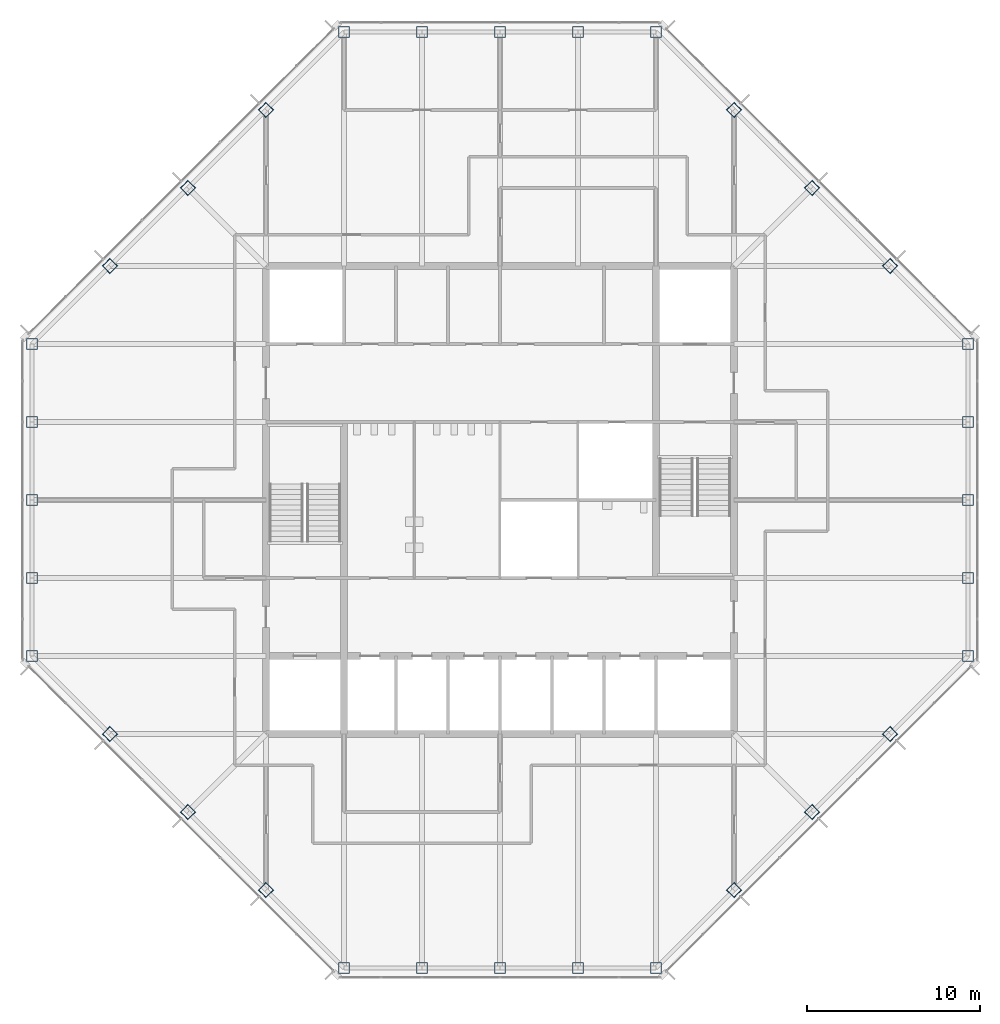
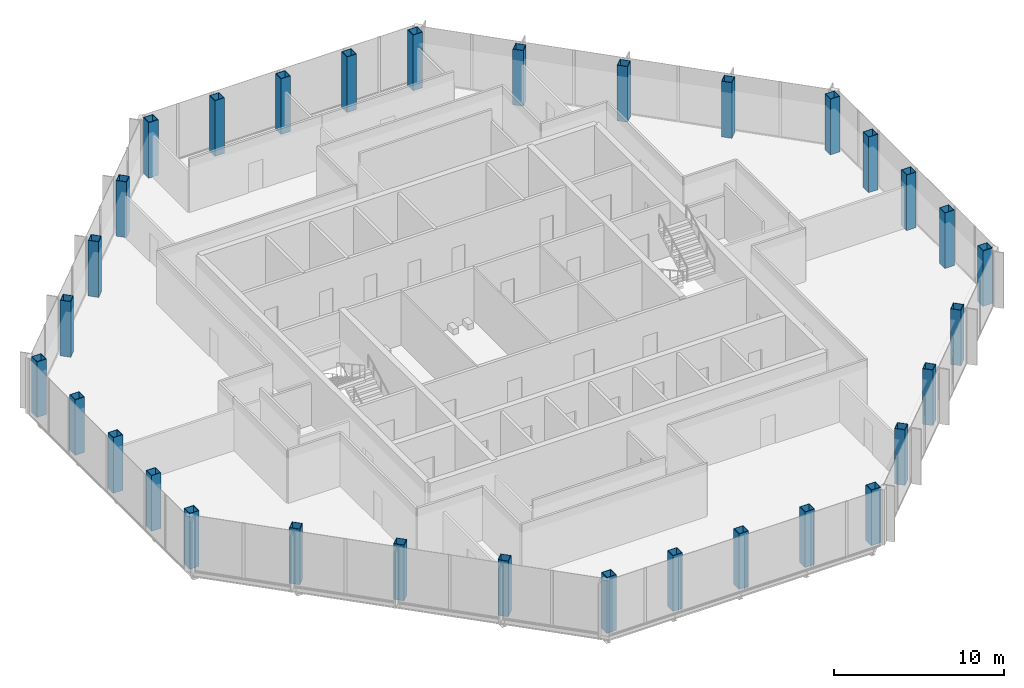
# One storey, part 1 of 13: 32 columns.
"""IFC4 building model written with IfcOpenShell, lengths in metres."""

from ifc_helpers import new_model, si_unit, direction, frame, origin, origin_2d, place, context, subcontext, project, spatial, hollow_rectangle, extrude, material, material_profile, profile_set, type_object, element, save


model = new_model("IFC4")

# Units and contexts
model_context = context("Model", 3, precision=1e-05, world=origin(), true_north=direction((0.0, 1.0)))
body_context = subcontext(model_context, "Body", "Model", "MODEL_VIEW")
ifc_project = project(units=[si_unit("LENGTHUNIT", "METRE"), si_unit("AREAUNIT", "SQUARE_METRE"), si_unit("VOLUMEUNIT", "CUBIC_METRE"), si_unit("PLANEANGLEUNIT", "RADIAN"), si_unit("MASSUNIT", "GRAM", prefix="KILO")], contexts=[model_context])

# Site, building, storey
site_placement = place(None, origin())
site = spatial("IfcSite", under=ifc_project, at=site_placement, CompositionType="ELEMENT")
building_placement = place(site_placement, origin())
building = spatial("IfcBuilding", under=site, at=building_placement, Name="Corais Broadcast Tower", CompositionType="ELEMENT")
storey_placement = place(building_placement, frame((0.0, 0.0, 242.60009765625)))
storey = spatial("IfcBuildingStorey", under=building, at=storey_placement, Name="L56", CompositionType="ELEMENT", Elevation=242.60009765625)

# Columns
ifc_material = material(Name="Steel ASTM A572 Grade 50", Category="steel")
ifc_material_profile = material_profile(ifc_material, hollow_rectangle(XDim=0.64990234375, YDim=0.64990234375, WallThickness=0.031982421875, at=origin_2d()), Name="BOX 650x650x32")
ifc_profile_set = profile_set([ifc_material_profile], Name="Steel ASTM A572 Grade 50")
column_type = type_object("IfcColumnType", Name="Column BOX 650x650x32", PredefinedType="COLUMN", material=ifc_profile_set)
for number, where, z_axis, x_axis, name in (
    (1, (18.0, 0.0, 0.0), (0.0, 0.0, 1.0), (1.0, 0.0, 0.0), "C6 A/7"),
    (2, (22.5, 0.0, 0.0), (0.0, 0.0, 1.0), (1.0, 0.0, 0.0), "C6 A/8"),
    (3, (27.0, 0.0, 0.0), (0.0, 0.0, 1.0), (1.0, 0.0, 0.0), "C6 A/9"),
    (4, (31.5, 0.0, 0.0), (0.0, 0.0, 1.0), (1.0, 0.0, 0.0), "C6 A/10"),
    (5, (36.0, 0.0, 0.0), (0.0, 0.0, 1.0), (1.0, 0.0, 0.0), "C6 A/11"),
    (6, (54.0, 18.0, 0.0), (0.0, 0.0, 1.0), (1.0, 0.0, 0.0), "C6 E/15"),
    (7, (54.0, 22.5, 0.0), (0.0, 0.0, 1.0), (1.0, 0.0, 0.0), "C6 F/15"),
    (8, (54.0, 27.0, 0.0), (0.0, 0.0, 1.0), (1.0, 0.0, 0.0), "C6 G/15"),
    (9, (54.0, 31.5, 0.0), (0.0, 0.0, 1.0), (1.0, 0.0, 0.0), "C6 H/15"),
    (10, (54.0, 36.0, 0.0), (0.0, 0.0, 1.0), (1.0, 0.0, 0.0), "C6 J/15"),
    (11, (36.0, 54.0, 0.0), (0.0, 0.0, 1.0), (1.0, 0.0, 0.0), "C6 N/11"),
    (12, (31.5, 54.0, 0.0), (0.0, 0.0, 1.0), (1.0, 0.0, 0.0), "C6 N/10"),
    (13, (27.0, 54.0, 0.0), (0.0, 0.0, 1.0), (1.0, 0.0, 0.0), "C6 N/9"),
    (14, (22.5, 54.0, 0.0), (0.0, 0.0, 1.0), (1.0, 0.0, 0.0), "C6 N/8"),
    (15, (18.0, 54.0, 0.0), (0.0, 0.0, 1.0), (1.0, 0.0, 0.0), "C6 N/7"),
    (16, (0.0, 36.0, 0.0), (0.0, 0.0, 1.0), (1.0, 0.0, 0.0), "C6 J/3"),
    (17, (0.0, 31.5, 0.0), (0.0, 0.0, 1.0), (1.0, 0.0, 0.0), "C6 H/3"),
    (18, (0.0, 27.0, 0.0), (0.0, 0.0, 1.0), (1.0, 0.0, 0.0), "C6 G/3"),
    (19, (0.0, 22.5, 0.0), (0.0, 0.0, 1.0), (1.0, 0.0, 0.0), "C6 F/3"),
    (20, (0.0, 18.0, 0.0), (0.0, 0.0, 1.0), (1.0, 0.0, 0.0), "C6 E/3"),
    (21, (13.5, 4.5, 0.0), (0.0, 0.0, 1.0), (0.707106781187, 0.707106781187, 0.0), "C6 B/6"),
    (22, (9.0, 9.0, 0.0), (0.0, 0.0, 1.0), (0.707106781187, 0.707106781187, 0.0), "C6 C/5"),
    (23, (4.5, 13.5, 0.0), (0.0, 0.0, 1.0), (0.707106781187, 0.707106781187, 0.0), "C6 D/4"),
    (24, (40.5, 4.5, 0.0), (0.0, 0.0, 1.0), (0.707106781187, 0.707106781187, 0.0), "C6 B/12"),
    (25, (45.0, 9.0, 0.0), (0.0, 0.0, 1.0), (0.707106781187, 0.707106781187, 0.0), "C6 C/13"),
    (26, (49.5, 13.5, 0.0), (0.0, 0.0, 1.0), (0.707106781187, 0.707106781187, 0.0), "C6 D/14"),
    (27, (49.5, 40.5, 0.0), (0.0, 0.0, 1.0), (0.707106781187, 0.707106781187, 0.0), "C6 K/14"),
    (28, (45.0, 45.0, 0.0), (0.0, 0.0, 1.0), (0.707106781187, 0.707106781187, 0.0), "C6 L/13"),
    (29, (40.5, 49.5, 0.0), (0.0, 0.0, 1.0), (0.707106781187, 0.707106781187, 0.0), "C6 M/12"),
    (30, (4.5, 40.5, 0.0), (0.0, 0.0, 1.0), (0.707106781187, 0.707106781187, 0.0), "C6 K/4"),
    (31, (9.0, 45.0, 0.0), (0.0, 0.0, 1.0), (0.707106781187, 0.707106781187, 0.0), "C6 L/5"),
    (32, (13.5, 49.5, 0.0), (0.0, 0.0, 1.0), (0.707106781187, 0.707106781187, 0.0), "C6 M/6"),
):
    element("IfcColumn", number, at=place(storey_placement, frame(where, z_axis=z_axis, x_axis=x_axis)), inside=storey, type_object=column_type, Name=name, PredefinedType="COLUMN", context=body_context, shape_type="SweptSolid", body=[
        extrude(hollow_rectangle(XDim=0.64990234375, YDim=0.64990234375, WallThickness=0.031982421875, at=origin_2d()), origin(), (0.0, 0.0, 1.0), 4.0),
    ])

save(model, "model.ifc")
